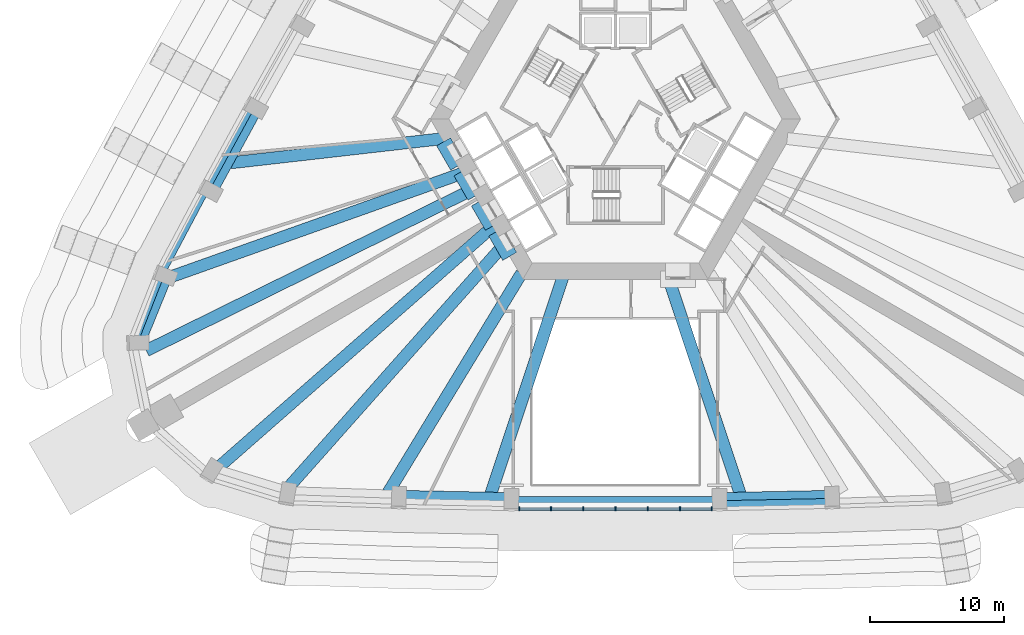
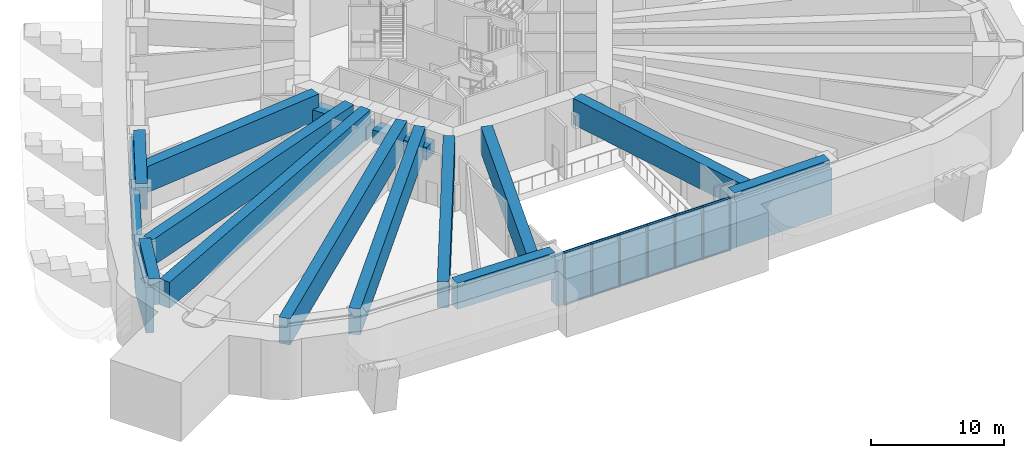
# One storey, part 2 of 20: 24 members, 16 beams, 1 element without a shape of its own.
"""IFC4 building model written with IfcOpenShell, lengths in metres."""

from ifc_helpers import new_model, si_unit, direction, frame, origin, origin_2d, place, context, subcontext, project, spatial, rectangle, extrude, material, material_profile, profile_set, type_object, element, aggregate, save


model = new_model("IFC4")

# Units and contexts
model_context = context("Model", 3, precision=1e-05, world=origin(), true_north=direction((0.0, 1.0)))
body_context = subcontext(model_context, "Body", "Model", "MODEL_VIEW")
ifc_project = project(units=[si_unit("LENGTHUNIT", "METRE"), si_unit("AREAUNIT", "SQUARE_METRE"), si_unit("VOLUMEUNIT", "CUBIC_METRE"), si_unit("PLANEANGLEUNIT", "RADIAN"), si_unit("MASSUNIT", "GRAM", prefix="KILO")], contexts=[model_context])

# Site, building, storey
site_placement = place(None, origin())
site = spatial("IfcSite", under=ifc_project, at=site_placement, CompositionType="ELEMENT")
building_placement = place(site_placement, origin())
building = spatial("IfcBuilding", under=site, at=building_placement, Name="Entoto Arch Interchange Tower", CompositionType="ELEMENT")
storey_placement = place(building_placement, frame((0.0, 0.0, 184.39990234375)))
storey = spatial("IfcBuildingStorey", under=building, at=storey_placement, Name="L41", CompositionType="ELEMENT", Elevation=184.39990234375)

# Members
ifc_material_1 = material(Name="Concrete C50/60", Category="concrete")
ifc_material_profile_1 = material_profile(ifc_material_1, rectangle(XDim=0.60009765625, YDim=4.199951171875, at=origin_2d()))
ifc_profile_set_1 = profile_set([ifc_material_profile_1], Name="Concrete C50/60")
member_type_1 = type_object("IfcMemberType", Name="Belt member RC 600x4200 C50/60", PredefinedType="USERDEFINED", material=ifc_profile_set_1)
member_1_placement = place(storey_placement, frame((7.7958984375, -26.3720703125, 2.10009765625), z_axis=(0.999796137513, 0.02019117167, 0.0), x_axis=(-0.02019117167, 0.999796137513, 0.0)))
element("IfcMember", 1, at=member_1_placement, inside=storey, type_object=member_type_1, Name="Belt beam 04 L41", ObjectType="BELT BEAM", PredefinedType="USERDEFINED", context=body_context, shape_type="SweptSolid", body=[
    extrude(rectangle(XDim=0.60009765625, YDim=4.199951171875, at=origin_2d()), origin(), (0.0, 0.0, 1.0), 8.427734375),
])
member_2_placement = place(storey_placement, frame((-27.264892578125, 3.49609375, 2.10009765625), z_axis=(-0.479292334149, -0.877655318691, 0.0), x_axis=(0.877655318691, -0.479292334149, 0.0)))
element("IfcMember", 2, at=member_2_placement, inside=storey, type_object=member_type_1, Name="Belt beam 26 L41", ObjectType="BELT BEAM", PredefinedType="USERDEFINED", context=body_context, shape_type="SweptSolid", body=[
    extrude(rectangle(XDim=0.60009765625, YDim=4.199951171875, at=origin_2d()), origin(), (0.0, 0.0, 1.0), 7.0712890625),
])
member_3_placement = place(storey_placement, frame((-30.654052734375, -2.7099609375, 2.10009765625), z_axis=(-0.468778304304, -0.883315855973, 0.0), x_axis=(0.883315855973, -0.468778304304, 0.0)))
element("IfcMember", 3, at=member_3_placement, inside=storey, type_object=member_type_1, Name="Belt beam 27 L41", ObjectType="BELT BEAM", PredefinedType="USERDEFINED", context=body_context, shape_type="SweptSolid", body=[
    extrude(rectangle(XDim=0.60009765625, YDim=4.199951171875, at=origin_2d()), origin(), (0.0, 0.0, 1.0), 7.2783203125),
])
member_4_placement = place(storey_placement, frame((-34.06591796875, -9.138916015625, 2.10009765625), z_axis=(-0.364909188347, -0.93104311622, 0.0), x_axis=(0.93104311622, -0.364909188347, 0.0)))
element("IfcMember", 4, at=member_4_placement, inside=storey, type_object=member_type_1, Name="Belt beam 28 L41", ObjectType="BELT BEAM", PredefinedType="USERDEFINED", context=body_context, shape_type="SweptSolid", body=[
    extrude(rectangle(XDim=0.60009765625, YDim=4.199951171875, at=origin_2d()), origin(), (0.0, 0.0, 1.0), 5.560546875),
])
ifc_material_profile_2 = material_profile(ifc_material_1, rectangle(XDim=0.89990234375, YDim=4.199951171875, at=origin_2d()))
ifc_profile_set_2 = profile_set([ifc_material_profile_2], Name="Concrete C50/60")
member_type_2 = type_object("IfcMemberType", Name="Belt member RC 900x4200 C50/60", PredefinedType="USERDEFINED", material=ifc_profile_set_2)
member_5_placement = place(storey_placement, frame((-7.7958984375, -26.221923828125, 2.10009765625), z_axis=(1.0, 0.0, 0.0), x_axis=(0.0, 1.0, 0.0)))
element("IfcMember", 5, at=member_5_placement, inside=storey, type_object=member_type_2, Name="Belt beam 03 L41", ObjectType="BELT BEAM", PredefinedType="USERDEFINED", context=body_context, shape_type="SweptSolid", body=[
    extrude(rectangle(XDim=0.89990234375, YDim=4.199951171875, at=origin_2d()), origin(), (0.0, 0.0, 1.0), 15.591796875),
])

# Beams
ifc_material_profile_3 = material_profile(ifc_material_1, rectangle(XDim=1.199951171875, YDim=1.199951171875, at=origin_2d()))
ifc_profile_set_3 = profile_set([ifc_material_profile_3], Name="Concrete C50/60")
beam_type_1 = type_object("IfcBeamType", Name="Coupling beam RC 1200x1200 C50/60", PredefinedType="BEAM", material=ifc_profile_set_3)
beam_1_placement = place(storey_placement, frame((-12.866943359375, 0.785888671875, 3.0), z_axis=(0.500178781653, -0.865922159541, 0.0), x_axis=(0.865922159541, 0.500178781653, 0.0)))
element("IfcBeam", 6, at=beam_1_placement, inside=storey, type_object=beam_type_1, Name="Coupling beam SW L41", PredefinedType="BEAM", context=body_context, shape_type="SweptSolid", body=[
    extrude(rectangle(XDim=1.199951171875, YDim=1.199951171875, at=origin_2d()), origin(), (0.0, 0.0, 1.0), 2.099365234375),
])
beam_2_placement = place(storey_placement, frame((-11.56689453125, -1.465087890625, 3.0), z_axis=(0.500091574638, -0.865972526687, 0.0), x_axis=(0.865972526687, 0.500091574638, 0.0)))
element("IfcBeam", 7, at=beam_2_placement, inside=storey, type_object=beam_type_1, Name="Coupling beam SW L41", PredefinedType="BEAM", context=body_context, shape_type="SweptSolid", body=[
    extrude(rectangle(XDim=1.199951171875, YDim=1.199951171875, at=origin_2d()), origin(), (0.0, 0.0, 1.0), 2.09912109375),
])
for number, where, z_axis, x_axis, name in (
    (8, (-10.26708984375, -3.717041015625, 3.0), (0.500178781653, -0.865922159541, 0.0), (0.865922159541, 0.500178781653, 0.0), "Coupling beam SW L41"),
    (9, (-8.967041015625, -5.968017578125, 3.0), (0.500178781653, -0.865922159541, 0.0), (0.865922159541, 0.500178781653, 0.0), "Coupling beam SW L41"),
):
    element("IfcBeam", number, at=place(storey_placement, frame(where, z_axis=z_axis, x_axis=x_axis)), inside=storey, type_object=beam_type_1, Name=name, PredefinedType="BEAM", context=body_context, shape_type="SweptSolid", body=[
        extrude(rectangle(XDim=1.199951171875, YDim=1.199951171875, at=origin_2d()), origin(), (0.0, 0.0, 1.0), 2.099365234375),
    ])

# Curtain wall, members
ifc_material_2 = material(Name="Aluminium, anodised", Category="aluminium")
curtain_wall_type = type_object("IfcCurtainWallType", Name="CURTAIN WALL ATRIUM", PredefinedType="NOTDEFINED", material=ifc_material_2)
curtain_wall_placement = place(storey_placement, origin())
curtain_wall = element("IfcCurtainWall", 10, at=curtain_wall_placement, inside=storey, type_object=curtain_wall_type, Name="Atrium glazing S-03 L41", PredefinedType="NOTDEFINED")
ifc_material_profile_4 = material_profile(ifc_material_2, rectangle(XDim=0.300048828125, YDim=0.10009765625, at=origin_2d()))
ifc_profile_set_4 = profile_set([ifc_material_profile_4], Name="Aluminium, anodised")
member_type_3 = type_object("IfcMemberType", Name="MULLION ATRIUM 100x300", PredefinedType="MULLION", material=ifc_profile_set_4)
member_6_placement = place(storey_placement, frame((-7.198974609375, -26.69189453125, 0.0), z_axis=(0.0, 0.0, 1.0), x_axis=(0.0, 1.0, 0.0)))
member_6 = element("IfcMember", 11, at=member_6_placement, type_object=member_type_3, Name="CWA mullion 1", PredefinedType="MULLION", context=body_context, shape_type="SweptSolid", body=[
    extrude(rectangle(XDim=0.300048828125, YDim=0.10009765625, at=origin_2d()), origin(), (0.0, 0.0, 1.0), 4.800048828125),
])
member_7_placement = place(storey_placement, frame((-4.832763671875, -26.69189453125, 0.0), z_axis=(0.0, 0.0, 1.0), x_axis=(0.0, 1.0, 0.0)))
member_7 = element("IfcMember", 12, at=member_7_placement, type_object=member_type_3, Name="CWA mullion 2", PredefinedType="MULLION", context=body_context, shape_type="SweptSolid", body=[
    extrude(rectangle(XDim=0.300048828125, YDim=0.10009765625, at=origin_2d()), origin(), (0.0, 0.0, 1.0), 4.800048828125),
])
member_8_placement = place(storey_placement, frame((-2.416259765625, -26.69189453125, 0.0), z_axis=(0.0, 0.0, 1.0), x_axis=(0.0, 1.0, 0.0)))
member_8 = element("IfcMember", 13, at=member_8_placement, type_object=member_type_3, Name="CWA mullion 3", PredefinedType="MULLION", context=body_context, shape_type="SweptSolid", body=[
    extrude(rectangle(XDim=0.300048828125, YDim=0.10009765625, at=origin_2d()), origin(), (0.0, 0.0, 1.0), 4.800048828125),
])
member_9_placement = place(storey_placement, frame((0.0, -26.69189453125, 0.0), z_axis=(0.0, 0.0, 1.0), x_axis=(0.0, 1.0, 0.0)))
member_9 = element("IfcMember", 14, at=member_9_placement, type_object=member_type_3, Name="CWA mullion 4", PredefinedType="MULLION", context=body_context, shape_type="SweptSolid", body=[
    extrude(rectangle(XDim=0.300048828125, YDim=0.10009765625, at=origin_2d()), origin(), (0.0, 0.0, 1.0), 4.800048828125),
])
member_10_placement = place(storey_placement, frame((2.416259765625, -26.69189453125, 0.0), z_axis=(0.0, 0.0, 1.0), x_axis=(0.0, 1.0, 0.0)))
member_10 = element("IfcMember", 15, at=member_10_placement, type_object=member_type_3, Name="CWA mullion 5", PredefinedType="MULLION", context=body_context, shape_type="SweptSolid", body=[
    extrude(rectangle(XDim=0.300048828125, YDim=0.10009765625, at=origin_2d()), origin(), (0.0, 0.0, 1.0), 4.800048828125),
])
member_11_placement = place(storey_placement, frame((4.832763671875, -26.69189453125, 0.0), z_axis=(0.0, 0.0, 1.0), x_axis=(0.0, 1.0, 0.0)))
member_11 = element("IfcMember", 16, at=member_11_placement, type_object=member_type_3, Name="CWA mullion 6", PredefinedType="MULLION", context=body_context, shape_type="SweptSolid", body=[
    extrude(rectangle(XDim=0.300048828125, YDim=0.10009765625, at=origin_2d()), origin(), (0.0, 0.0, 1.0), 4.800048828125),
])
member_12_placement = place(storey_placement, frame((7.198974609375, -26.69189453125, 0.0), z_axis=(0.0, 0.0, 1.0), x_axis=(0.0, 1.0, 0.0)))
member_12 = element("IfcMember", 17, at=member_12_placement, type_object=member_type_3, Name="CWA mullion 7", PredefinedType="MULLION", context=body_context, shape_type="SweptSolid", body=[
    extrude(rectangle(XDim=0.300048828125, YDim=0.10009765625, at=origin_2d()), origin(), (0.0, 0.0, 1.0), 4.800048828125),
])
ifc_material_profile_5 = material_profile(ifc_material_2, rectangle(XDim=0.199951171875, YDim=0.080078125, at=origin_2d()))
ifc_profile_set_5 = profile_set([ifc_material_profile_5], Name="Aluminium, anodised")
member_type_4 = type_object("IfcMemberType", Name="TRANSOM ATRIUM 80x200", PredefinedType="USERDEFINED", material=ifc_profile_set_5)
member_13_placement = place(storey_placement, frame((-7.14892578125, -26.69189453125, 0.0400390625), z_axis=(1.0, 0.0, 0.0), x_axis=(0.0, 1.0, 0.0)))
member_13 = element("IfcMember", 18, at=member_13_placement, type_object=member_type_4, Name="CWA transom 1.1", ObjectType="TRANSOM", PredefinedType="USERDEFINED", context=body_context, shape_type="SweptSolid", body=[
    extrude(rectangle(XDim=0.199951171875, YDim=0.080078125, at=origin_2d()), origin(), (0.0, 0.0, 1.0), 2.266357421875),
])
member_14_placement = place(storey_placement, frame((-7.14892578125, -26.69189453125, 4.760009765625), z_axis=(1.0, 0.0, 0.0), x_axis=(0.0, 1.0, 0.0)))
member_14 = element("IfcMember", 19, at=member_14_placement, type_object=member_type_4, Name="CWA transom 1.2", ObjectType="TRANSOM", PredefinedType="USERDEFINED", context=body_context, shape_type="SweptSolid", body=[
    extrude(rectangle(XDim=0.199951171875, YDim=0.080078125, at=origin_2d()), origin(), (0.0, 0.0, 1.0), 2.266357421875),
])
member_15_placement = place(storey_placement, frame((-4.78271484375, -26.69189453125, 0.0400390625), z_axis=(1.0, 0.0, 0.0), x_axis=(0.0, 1.0, 0.0)))
member_15 = element("IfcMember", 20, at=member_15_placement, type_object=member_type_4, Name="CWA transom 2.1", ObjectType="TRANSOM", PredefinedType="USERDEFINED", context=body_context, shape_type="SweptSolid", body=[
    extrude(rectangle(XDim=0.199951171875, YDim=0.080078125, at=origin_2d()), origin(), (0.0, 0.0, 1.0), 2.31640625),
])
member_16_placement = place(storey_placement, frame((-4.78271484375, -26.69189453125, 4.760009765625), z_axis=(1.0, 0.0, 0.0), x_axis=(0.0, 1.0, 0.0)))
member_16 = element("IfcMember", 21, at=member_16_placement, type_object=member_type_4, Name="CWA transom 2.2", ObjectType="TRANSOM", PredefinedType="USERDEFINED", context=body_context, shape_type="SweptSolid", body=[
    extrude(rectangle(XDim=0.199951171875, YDim=0.080078125, at=origin_2d()), origin(), (0.0, 0.0, 1.0), 2.31640625),
])
member_17_placement = place(storey_placement, frame((-2.366455078125, -26.69189453125, 0.0400390625), z_axis=(1.0, 0.0, 0.0), x_axis=(0.0, 1.0, 0.0)))
member_17 = element("IfcMember", 22, at=member_17_placement, type_object=member_type_4, Name="CWA transom 3.1", ObjectType="TRANSOM", PredefinedType="USERDEFINED", context=body_context, shape_type="SweptSolid", body=[
    extrude(rectangle(XDim=0.199951171875, YDim=0.080078125, at=origin_2d()), origin(), (0.0, 0.0, 1.0), 2.31640625),
])
member_18_placement = place(storey_placement, frame((-2.366455078125, -26.69189453125, 4.760009765625), z_axis=(1.0, 0.0, 0.0), x_axis=(0.0, 1.0, 0.0)))
member_18 = element("IfcMember", 23, at=member_18_placement, type_object=member_type_4, Name="CWA transom 3.2", ObjectType="TRANSOM", PredefinedType="USERDEFINED", context=body_context, shape_type="SweptSolid", body=[
    extrude(rectangle(XDim=0.199951171875, YDim=0.080078125, at=origin_2d()), origin(), (0.0, 0.0, 1.0), 2.31640625),
])
member_19_placement = place(storey_placement, frame((0.050048828125, -26.69189453125, 0.0400390625), z_axis=(1.0, 0.0, 0.0), x_axis=(0.0, 1.0, 0.0)))
member_19 = element("IfcMember", 24, at=member_19_placement, type_object=member_type_4, Name="CWA transom 4.1", ObjectType="TRANSOM", PredefinedType="USERDEFINED", context=body_context, shape_type="SweptSolid", body=[
    extrude(rectangle(XDim=0.199951171875, YDim=0.080078125, at=origin_2d()), origin(), (0.0, 0.0, 1.0), 2.31640625),
])
member_20_placement = place(storey_placement, frame((0.050048828125, -26.69189453125, 4.760009765625), z_axis=(1.0, 0.0, 0.0), x_axis=(0.0, 1.0, 0.0)))
member_20 = element("IfcMember", 25, at=member_20_placement, type_object=member_type_4, Name="CWA transom 4.2", ObjectType="TRANSOM", PredefinedType="USERDEFINED", context=body_context, shape_type="SweptSolid", body=[
    extrude(rectangle(XDim=0.199951171875, YDim=0.080078125, at=origin_2d()), origin(), (0.0, 0.0, 1.0), 2.31640625),
])
member_21_placement = place(storey_placement, frame((2.46630859375, -26.69189453125, 0.0400390625), z_axis=(1.0, 0.0, 0.0), x_axis=(0.0, 1.0, 0.0)))
member_21 = element("IfcMember", 26, at=member_21_placement, type_object=member_type_4, Name="CWA transom 5.1", ObjectType="TRANSOM", PredefinedType="USERDEFINED", context=body_context, shape_type="SweptSolid", body=[
    extrude(rectangle(XDim=0.199951171875, YDim=0.080078125, at=origin_2d()), origin(), (0.0, 0.0, 1.0), 2.31640625),
])
member_22_placement = place(storey_placement, frame((2.46630859375, -26.69189453125, 4.760009765625), z_axis=(1.0, 0.0, 0.0), x_axis=(0.0, 1.0, 0.0)))
member_22 = element("IfcMember", 27, at=member_22_placement, type_object=member_type_4, Name="CWA transom 5.2", ObjectType="TRANSOM", PredefinedType="USERDEFINED", context=body_context, shape_type="SweptSolid", body=[
    extrude(rectangle(XDim=0.199951171875, YDim=0.080078125, at=origin_2d()), origin(), (0.0, 0.0, 1.0), 2.31640625),
])
member_23_placement = place(storey_placement, frame((4.882568359375, -26.69189453125, 0.0400390625), z_axis=(1.0, 0.0, 0.0), x_axis=(0.0, 1.0, 0.0)))
member_23 = element("IfcMember", 28, at=member_23_placement, type_object=member_type_4, Name="CWA transom 6.1", ObjectType="TRANSOM", PredefinedType="USERDEFINED", context=body_context, shape_type="SweptSolid", body=[
    extrude(rectangle(XDim=0.199951171875, YDim=0.080078125, at=origin_2d()), origin(), (0.0, 0.0, 1.0), 2.266357421875),
])
member_24_placement = place(storey_placement, frame((4.882568359375, -26.69189453125, 4.760009765625), z_axis=(1.0, 0.0, 0.0), x_axis=(0.0, 1.0, 0.0)))
member_24 = element("IfcMember", 29, at=member_24_placement, type_object=member_type_4, Name="CWA transom 6.2", ObjectType="TRANSOM", PredefinedType="USERDEFINED", context=body_context, shape_type="SweptSolid", body=[
    extrude(rectangle(XDim=0.199951171875, YDim=0.080078125, at=origin_2d()), origin(), (0.0, 0.0, 1.0), 2.266357421875),
])
aggregate(curtain_wall, [member_6, member_7, member_8, member_9, member_10, member_11, member_12, member_13, member_14, member_15, member_16, member_17, member_18, member_19, member_20, member_21, member_22, member_23, member_24])

# Beams
ifc_material_profile_6 = material_profile(ifc_material_1, rectangle(XDim=0.89990234375, YDim=2.39990234375, at=origin_2d()))
ifc_profile_set_6 = profile_set([ifc_material_profile_6], Name="Concrete C50/60")
beam_type_2 = type_object("IfcBeamType", Name="Transfer beam RC 900x2400 C50/60", PredefinedType="BEAM", material=ifc_profile_set_6)
beam_3_placement = place(storey_placement, frame((-8.294921875, -6.846923828125, 3.60009765625), z_axis=(-0.663776106148, -0.747931334353, 0.0), x_axis=(0.747931334353, -0.663776106148, 0.0)))
element("IfcBeam", 30, at=beam_3_placement, inside=storey, type_object=beam_type_2, Name="Transfer beam S01 L41", PredefinedType="BEAM", context=body_context, shape_type="SweptSolid", body=[
    extrude(rectangle(XDim=0.89990234375, YDim=2.39990234375, at=origin_2d()), origin(), (0.0, 0.0, 1.0), 24.50244140625),
])
beam_4_placement = place(storey_placement, frame((-7.031982421875, -9.055908203125, 3.60009765625), z_axis=(-0.519813021279, -0.854280061168, 0.0), x_axis=(0.854280061168, -0.519813021279, 0.0)))
element("IfcBeam", 31, at=beam_4_placement, inside=storey, type_object=beam_type_2, Name="Transfer beam S02 L41", PredefinedType="BEAM", context=body_context, shape_type="SweptSolid", body=[
    extrude(rectangle(XDim=0.89990234375, YDim=2.39990234375, at=origin_2d()), origin(), (0.0, 0.0, 1.0), 19.201171875),
])
beam_5_placement = place(storey_placement, frame((-3.94189453125, -9.35791015625, 3.60009765625), z_axis=(-0.315461653852, -0.948938325156, 0.0), x_axis=(0.948938325156, -0.315461653852, 0.0)))
element("IfcBeam", 32, at=beam_5_placement, inside=storey, type_object=beam_type_2, Name="Transfer beam S03 L41", PredefinedType="BEAM", context=body_context, shape_type="SweptSolid", body=[
    extrude(rectangle(XDim=0.89990234375, YDim=2.39990234375, at=origin_2d()), origin(), (0.0, 0.0, 1.0), 17.115234375),
])
beam_6_placement = place(storey_placement, frame((-16.205078125, -25.7470703125, 3.60009765625), z_axis=(0.999796238201, -0.020186185362, 0.0), x_axis=(0.020186185362, 0.999796238201, 0.0)))
element("IfcBeam", 33, at=beam_6_placement, inside=storey, type_object=beam_type_2, Name="Transfer girder S03 L41", PredefinedType="BEAM", context=body_context, shape_type="SweptSolid", body=[
    extrude(rectangle(XDim=0.89990234375, YDim=2.39990234375, at=origin_2d()), origin(), (0.0, 0.0, 1.0), 8.417724609375),
])
beam_7_placement = place(storey_placement, frame((3.94189453125, -9.35791015625, 3.60009765625), z_axis=(0.315461653852, -0.948938325156, 0.0), x_axis=(0.948938325156, 0.315461653852, 0.0)))
element("IfcBeam", 34, at=beam_7_placement, inside=storey, type_object=beam_type_2, Name="Transfer beam S04 L41", PredefinedType="BEAM", context=body_context, shape_type="SweptSolid", body=[
    extrude(rectangle(XDim=0.89990234375, YDim=2.39990234375, at=origin_2d()), origin(), (0.0, 0.0, 1.0), 17.115234375),
])
beam_8_placement = place(storey_placement, frame((7.7890625, -25.9169921875, 3.60009765625), z_axis=(0.999796238201, 0.020186185362, 0.0), x_axis=(-0.020186185362, 0.999796238201, 0.0)))
element("IfcBeam", 35, at=beam_8_placement, inside=storey, type_object=beam_type_2, Name="Transfer girder S04 L41", PredefinedType="BEAM", context=body_context, shape_type="SweptSolid", body=[
    extrude(rectangle(XDim=0.89990234375, YDim=2.39990234375, at=origin_2d()), origin(), (0.0, 0.0, 1.0), 8.417724609375),
])
beam_9_placement = place(storey_placement, frame((-12.85107421875, 1.033935546875, 3.60009765625), z_axis=(-0.993557055038, -0.113333041888, 0.0), x_axis=(0.113333041888, -0.993557055038, 0.0)))
element("IfcBeam", 36, at=beam_9_placement, inside=storey, type_object=beam_type_2, Name="Transfer beam NW05 L41", PredefinedType="BEAM", context=body_context, shape_type="SweptSolid", body=[
    extrude(rectangle(XDim=0.89990234375, YDim=2.39990234375, at=origin_2d()), origin(), (0.0, 0.0, 1.0), 16.057373046875),
])
beam_10_placement = place(storey_placement, frame((-26.864990234375, 3.278076171875, 3.60009765625), z_axis=(-0.479401638479, -0.877595618166, 0.0), x_axis=(0.877595618166, -0.479401638479, 0.0)))
element("IfcBeam", 37, at=beam_10_placement, inside=storey, type_object=beam_type_2, Name="Transfer girder NW05 L41", PredefinedType="BEAM", context=body_context, shape_type="SweptSolid", body=[
    extrude(rectangle(XDim=0.89990234375, YDim=2.39990234375, at=origin_2d()), origin(), (0.0, 0.0, 1.0), 7.06494140625),
])
beam_11_placement = place(storey_placement, frame((-11.35791015625, -1.531982421875, 3.60009765625), z_axis=(-0.942373998931, -0.334561274116, 0.0), x_axis=(0.334561274116, -0.942373998931, 0.0)))
element("IfcBeam", 38, at=beam_11_placement, inside=storey, type_object=beam_type_2, Name="Transfer beam NW06 L41", PredefinedType="BEAM", context=body_context, shape_type="SweptSolid", body=[
    extrude(rectangle(XDim=0.89990234375, YDim=2.39990234375, at=origin_2d()), origin(), (0.0, 0.0, 1.0), 23.418701171875),
])
beam_12_placement = place(storey_placement, frame((-33.626953125, -9.264892578125, 3.60009765625), z_axis=(-0.376957012581, -0.926230754545, 0.0), x_axis=(0.926230754545, -0.376957012581, 0.0)))
element("IfcBeam", 39, at=beam_12_placement, inside=storey, type_object=beam_type_2, Name="Transfer girder NW06 L41", PredefinedType="BEAM", context=body_context, shape_type="SweptSolid", body=[
    extrude(rectangle(XDim=0.89990234375, YDim=2.39990234375, at=origin_2d()), origin(), (0.0, 0.0, 1.0), 5.38525390625),
])
beam_13_placement = place(storey_placement, frame((-10.64794921875, -2.758056640625, 3.60009765625), z_axis=(-0.896629781891, -0.442781022884, 0.0), x_axis=(0.442781022884, -0.896629781891, 0.0)))
element("IfcBeam", 40, at=beam_13_placement, inside=storey, type_object=beam_type_2, Name="Transfer beam SW1 L41", PredefinedType="BEAM", context=body_context, shape_type="SweptSolid", body=[
    extrude(rectangle(XDim=0.89990234375, YDim=2.39990234375, at=origin_2d()), origin(), (0.0, 0.0, 1.0), 27.28662109375),
])
beam_14_placement = place(storey_placement, frame((-9.083984375, -5.470947265625, 3.60009765625), z_axis=(-0.751634040865, -0.659580373126, 0.0), x_axis=(0.659580373126, -0.751634040865, 0.0)))
element("IfcBeam", 41, at=beam_14_placement, inside=storey, type_object=beam_type_2, Name="Transfer beam SW3 L41", PredefinedType="BEAM", context=body_context, shape_type="SweptSolid", body=[
    extrude(rectangle(XDim=0.89990234375, YDim=2.39990234375, at=origin_2d()), origin(), (0.0, 0.0, 1.0), 27.505615234375),
])

save(model, "model.ifc")
